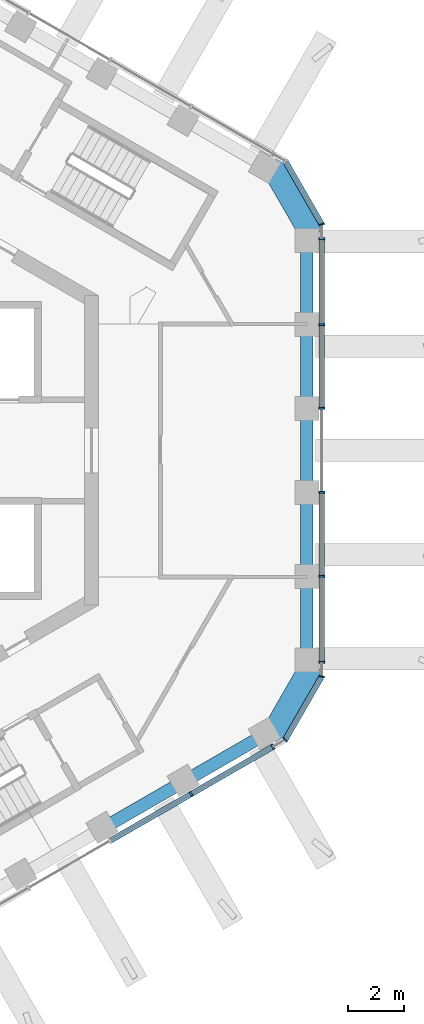
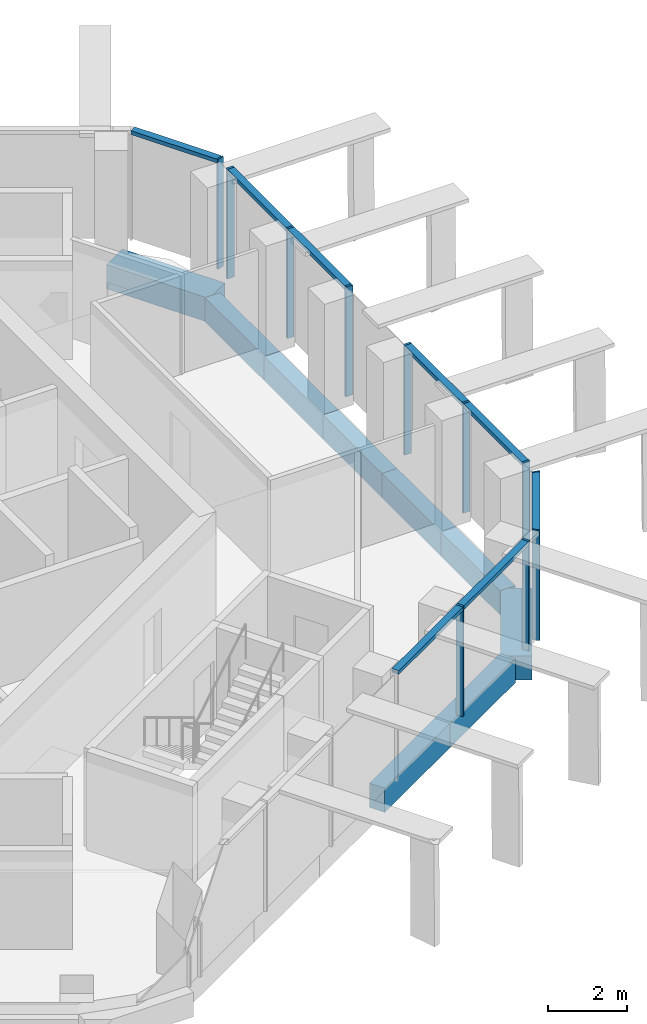
# One storey, part 4 of 17: 16 members, 9 beams, 4 elements without a shape of their own.
"""IFC4 building model written with IfcOpenShell, lengths in metres."""

from ifc_helpers import new_model, si_unit, direction, frame, origin, origin_2d, place, context, subcontext, project, spatial, rectangle, extrude, material, layer, layer_set, material_profile, profile_set, type_object, element, aggregate, save


model = new_model("IFC4")

# Units and contexts
model_context = context("Model", 3, precision=1e-05, world=origin(), true_north=direction((0.0, 1.0)))
body_context = subcontext(model_context, "Body", "Model", "MODEL_VIEW")
ifc_project = project(units=[si_unit("LENGTHUNIT", "METRE"), si_unit("AREAUNIT", "SQUARE_METRE"), si_unit("VOLUMEUNIT", "CUBIC_METRE"), si_unit("PLANEANGLEUNIT", "RADIAN"), si_unit("MASSUNIT", "GRAM", prefix="KILO")], contexts=[model_context])

# Site, building, storey
site_placement = place(None, origin())
site = spatial("IfcSite", under=ifc_project, at=site_placement, CompositionType="ELEMENT")
building_placement = place(site_placement, origin())
building = spatial("IfcBuilding", under=site, at=building_placement, Name="Ayvan Gate Tower", CompositionType="ELEMENT")
storey_placement = place(building_placement, frame((0.0, 0.0, 246.10009765625)))
storey = spatial("IfcBuildingStorey", under=building, at=storey_placement, Name="L66", CompositionType="ELEMENT", Elevation=246.10009765625)

# Beams
ifc_material_1 = material(Name="Concrete C40/50", Category="concrete")
ifc_material_profile_1 = material_profile(ifc_material_1, rectangle(XDim=0.800048828125, YDim=0.75, at=origin_2d()), Name="RC 800x750")
ifc_profile_set_1 = profile_set([ifc_material_profile_1], Name="Concrete C40/50")
beam_type_1 = type_object("IfcBeamType", Name="Corner spandrel beam RC 800x750 C40/50", PredefinedType="BEAM", material=ifc_profile_set_1)
for number, where, z_axis, x_axis, name in (
    (1, (17.078125, 7.59423828125, -0.72509765625), (-0.499990139034, 0.866031096941, 0.0), (-0.866031096941, -0.499990139034, 0.0), "SB-L66-6"),
    (2, (15.578125, -10.1923828125, -0.72509765625), (0.499990139034, 0.866031096941, 0.0), (-0.866031096941, 0.499990139034, 0.0), "SB-L66-36"),
):
    element("IfcBeam", number, at=place(storey_placement, frame(where, z_axis=z_axis, x_axis=x_axis)), inside=storey, type_object=beam_type_1, Name=name, PredefinedType="BEAM", context=body_context, shape_type="SweptSolid", body=[
        extrude(rectangle(XDim=0.800048828125, YDim=0.75, at=origin_2d()), origin(), (0.0, 0.0, 1.0), 3.0),
    ])
ifc_material_profile_2 = material_profile(ifc_material_1, rectangle(XDim=0.449951171875, YDim=0.75, at=origin_2d()), Name="RC 450x750")
ifc_profile_set_2 = profile_set([ifc_material_profile_2], Name="Concrete C40/50")
beam_type_2 = type_object("IfcBeamType", Name="Spandrel beam RC 450x750 C40/50", PredefinedType="BEAM", material=ifc_profile_set_2)
beam_1_placement = place(storey_placement, frame((16.887451171875, -7.484375, -0.72509765625), z_axis=(0.0, 1.0, 0.0), x_axis=(-1.0, 0.0, 0.0)))
element("IfcBeam", 3, at=beam_1_placement, inside=storey, type_object=beam_type_2, Name="SB-L66-1", PredefinedType="BEAM", context=body_context, shape_type="SweptSolid", body=[
    extrude(rectangle(XDim=0.449951171875, YDim=0.75, at=origin_2d()), origin(), (0.0, 0.0, 1.0), 2.99365234375),
])
beam_2_placement = place(storey_placement, frame((16.887451171875, -4.49072265625, -0.72509765625), z_axis=(0.0, 1.0, 0.0), x_axis=(-1.0, 0.0, 0.0)))
element("IfcBeam", 4, at=beam_2_placement, inside=storey, type_object=beam_type_2, Name="SB-L66-2", PredefinedType="BEAM", context=body_context, shape_type="SweptSolid", body=[
    extrude(rectangle(XDim=0.449951171875, YDim=0.75, at=origin_2d()), origin(), (0.0, 0.0, 1.0), 2.993896484375),
])
beam_3_placement = place(storey_placement, frame((16.887451171875, -1.496826171875, -0.72509765625), z_axis=(0.0, 1.0, 0.0), x_axis=(-1.0, 0.0, 0.0)))
element("IfcBeam", 5, at=beam_3_placement, inside=storey, type_object=beam_type_2, Name="SB-L66-3", PredefinedType="BEAM", context=body_context, shape_type="SweptSolid", body=[
    extrude(rectangle(XDim=0.449951171875, YDim=0.75, at=origin_2d()), origin(), (0.0, 0.0, 1.0), 2.99365234375),
])
beam_4_placement = place(storey_placement, frame((16.887451171875, 1.496826171875, -0.72509765625), z_axis=(0.0, 1.0, 0.0), x_axis=(-1.0, 0.0, 0.0)))
element("IfcBeam", 6, at=beam_4_placement, inside=storey, type_object=beam_type_2, Name="SB-L66-4", PredefinedType="BEAM", context=body_context, shape_type="SweptSolid", body=[
    extrude(rectangle(XDim=0.449951171875, YDim=0.75, at=origin_2d()), origin(), (0.0, 0.0, 1.0), 2.993896484375),
])
beam_5_placement = place(storey_placement, frame((16.887451171875, 4.49072265625, -0.72509765625), z_axis=(0.0, 1.0, 0.0), x_axis=(-1.0, 0.0, 0.0)))
element("IfcBeam", 7, at=beam_5_placement, inside=storey, type_object=beam_type_2, Name="SB-L66-5", PredefinedType="BEAM", context=body_context, shape_type="SweptSolid", body=[
    extrude(rectangle(XDim=0.449951171875, YDim=0.75, at=origin_2d()), origin(), (0.0, 0.0, 1.0), 2.99365234375),
])
beam_6_placement = place(storey_placement, frame((9.647705078125, -13.396240234375, -0.72509765625), z_axis=(0.866017505439, 0.500013680086, 0.0), x_axis=(-0.500013680086, 0.866017505439, 0.0)))
element("IfcBeam", 8, at=beam_6_placement, inside=storey, type_object=beam_type_2, Name="SB-L66-34", PredefinedType="BEAM", context=body_context, shape_type="SweptSolid", body=[
    extrude(rectangle(XDim=0.449951171875, YDim=0.75, at=origin_2d()), origin(), (0.0, 0.0, 1.0), 3.31396484375),
])
beam_7_placement = place(storey_placement, frame((12.517578125, -11.7392578125, -0.72509765625), z_axis=(0.866049406461, 0.49995842384, 0.0), x_axis=(-0.49995842384, 0.866049406461, 0.0)))
element("IfcBeam", 9, at=beam_7_placement, inside=storey, type_object=beam_type_2, Name="SB-L66-35", PredefinedType="BEAM", context=body_context, shape_type="SweptSolid", body=[
    extrude(rectangle(XDim=0.449951171875, YDim=0.75, at=origin_2d()), origin(), (0.0, 0.0, 1.0), 3.313720703125),
])

# Curtain wall, members
ifc_material_2 = material(Name="Bronze anodised aluminium", Category="aluminium")
ifc_layer_1 = layer(ifc_material_2, 0.199951171875)
ifc_layer_set_1 = layer_set([ifc_layer_1], Name="Bronze anodised aluminium")
curtain_wall_type_1 = type_object("IfcCurtainWallType", Name="Stick curtain wall CW-2", PredefinedType="NOTDEFINED", material=ifc_layer_set_1)
curtain_wall_1_placement = place(storey_placement, origin())
curtain_wall_1 = element("IfcCurtainWall", 10, at=curtain_wall_1_placement, inside=storey, type_object=curtain_wall_type_1, Name="Stick curtain wall CW-2 L66", PredefinedType="NOTDEFINED")
ifc_material_profile_3 = material_profile(ifc_material_2, rectangle(XDim=0.199951171875, YDim=0.070068359375, at=origin_2d()), Name="Stick curtain wall CW-2 mullion 200 x 70")
ifc_profile_set_3 = profile_set([ifc_material_profile_3], Name="Bronze anodised aluminium")
member_type_1 = type_object("IfcMemberType", Name="Stick curtain wall CW-2 mullion 200 x 70", PredefinedType="MULLION", material=ifc_profile_set_3)
member_1_placement = place(storey_placement, frame((12.78662109375, -12.175537109375, 0.0), z_axis=(0.0, 0.0, 1.0), x_axis=(0.5, -0.866025403784, 0.0)))
member_1 = element("IfcMember", 11, at=member_1_placement, type_object=member_type_1, Name="CW-2 mullion 5", PredefinedType="MULLION", context=body_context, shape_type="SweptSolid", body=[
    extrude(rectangle(XDim=0.199951171875, YDim=0.070068359375, at=origin_2d()), origin(), (0.0, 0.0, 1.0), 3.39990234375),
])
member_2_placement = place(storey_placement, frame((15.679443359375, -10.50537109375, 0.0), z_axis=(0.0, 0.0, 1.0), x_axis=(0.5, -0.866025403784, 0.0)))
member_2 = element("IfcMember", 12, at=member_2_placement, type_object=member_type_1, Name="CW-2 mullion 6", PredefinedType="MULLION", context=body_context, shape_type="SweptSolid", body=[
    extrude(rectangle(XDim=0.199951171875, YDim=0.070068359375, at=origin_2d()), origin(), (0.0, 0.0, 1.0), 3.39990234375),
])

curtain_wall_2_placement = place(storey_placement, origin())
curtain_wall_2 = element("IfcCurtainWall", 13, at=curtain_wall_2_placement, inside=storey, type_object=curtain_wall_type_1, Name="Stick curtain wall CW-2 L66", PredefinedType="NOTDEFINED")
member_3_placement = place(storey_placement, frame((17.41259765625, -7.50390625, 0.0), z_axis=(0.0, 0.0, 1.0), x_axis=(1.0, 0.0, 0.0)))
member_3 = element("IfcMember", 14, at=member_3_placement, type_object=member_type_1, Name="CW-2 mullion 1", PredefinedType="MULLION", context=body_context, shape_type="SweptSolid", body=[
    extrude(rectangle(XDim=0.199951171875, YDim=0.070068359375, at=origin_2d()), origin(), (0.0, 0.0, 1.0), 3.39990234375),
])
member_4_placement = place(storey_placement, frame((17.41259765625, -4.4609375, 0.0), z_axis=(0.0, 0.0, 1.0), x_axis=(1.0, 0.0, 0.0)))
member_4 = element("IfcMember", 15, at=member_4_placement, type_object=member_type_1, Name="CW-2 mullion 2", PredefinedType="MULLION", context=body_context, shape_type="SweptSolid", body=[
    extrude(rectangle(XDim=0.199951171875, YDim=0.070068359375, at=origin_2d()), origin(), (0.0, 0.0, 1.0), 3.39990234375),
])
member_5_placement = place(storey_placement, frame((17.41259765625, -1.48681640625, 0.0), z_axis=(0.0, 0.0, 1.0), x_axis=(1.0, 0.0, 0.0)))
member_5 = element("IfcMember", 16, at=member_5_placement, type_object=member_type_1, Name="CW-2 mullion 3", PredefinedType="MULLION", context=body_context, shape_type="SweptSolid", body=[
    extrude(rectangle(XDim=0.199951171875, YDim=0.070068359375, at=origin_2d()), origin(), (0.0, 0.0, 1.0), 3.39990234375),
])
member_6_placement = place(storey_placement, frame((17.41259765625, 1.487060546875, 0.0), z_axis=(0.0, 0.0, 1.0), x_axis=(1.0, 0.0, 0.0)))
member_6 = element("IfcMember", 17, at=member_6_placement, type_object=member_type_1, Name="CW-2 mullion 4", PredefinedType="MULLION", context=body_context, shape_type="SweptSolid", body=[
    extrude(rectangle(XDim=0.199951171875, YDim=0.070068359375, at=origin_2d()), origin(), (0.0, 0.0, 1.0), 3.39990234375),
])
member_7_placement = place(storey_placement, frame((17.41259765625, 4.461181640625, 0.0), z_axis=(0.0, 0.0, 1.0), x_axis=(1.0, 0.0, 0.0)))
member_7 = element("IfcMember", 18, at=member_7_placement, type_object=member_type_1, Name="CW-2 mullion 5", PredefinedType="MULLION", context=body_context, shape_type="SweptSolid", body=[
    extrude(rectangle(XDim=0.199951171875, YDim=0.070068359375, at=origin_2d()), origin(), (0.0, 0.0, 1.0), 3.39990234375),
])
member_8_placement = place(storey_placement, frame((17.41259765625, 7.50390625, 0.0), z_axis=(0.0, 0.0, 1.0), x_axis=(1.0, 0.0, 0.0)))
member_8 = element("IfcMember", 19, at=member_8_placement, type_object=member_type_1, Name="CW-2 mullion 6", PredefinedType="MULLION", context=body_context, shape_type="SweptSolid", body=[
    extrude(rectangle(XDim=0.199951171875, YDim=0.070068359375, at=origin_2d()), origin(), (0.0, 0.0, 1.0), 3.39990234375),
])

# Member
ifc_material_profile_4 = material_profile(ifc_material_2, rectangle(XDim=0.199951171875, YDim=0.1201171875, at=origin_2d()), Name="Stick curtain wall CW-2 transom 200 x 120")
ifc_profile_set_4 = profile_set([ifc_material_profile_4], Name="Bronze anodised aluminium")
member_type_2 = type_object("IfcMemberType", Name="Stick curtain wall CW-2 transom 200 x 120", PredefinedType="USERDEFINED", material=ifc_profile_set_4)
member_9_placement = place(storey_placement, frame((9.938232421875, -13.820068359375, 3.33984375), z_axis=(0.866024908328, 0.500000858155, 0.0), x_axis=(-0.500000858155, 0.866024908328, 0.0)))
member_9 = element("IfcMember", 20, at=member_9_placement, type_object=member_type_2, Name="CW-2 transom 2", ObjectType="TRANSOM", PredefinedType="USERDEFINED", context=body_context, shape_type="SweptSolid", body=[
    extrude(rectangle(XDim=0.199951171875, YDim=0.1201171875, at=origin_2d()), origin(), (0.0, 0.0, 1.0), 6.62939453125),
])

aggregate(curtain_wall_1, [member_1, member_2, member_9])

member_10_placement = place(storey_placement, frame((17.41259765625, -7.50390625, 3.33984375), z_axis=(0.0, 1.0, 0.0), x_axis=(-1.0, 0.0, 0.0)))
member_10 = element("IfcMember", 21, at=member_10_placement, type_object=member_type_2, Name="CW-2 transom 1", ObjectType="TRANSOM", PredefinedType="USERDEFINED", context=body_context, shape_type="SweptSolid", body=[
    extrude(rectangle(XDim=0.199951171875, YDim=0.1201171875, at=origin_2d()), origin(), (0.0, 0.0, 1.0), 5.982177734375),
])

member_11_placement = place(storey_placement, frame((17.41259765625, 1.522216796875, 3.33984375), z_axis=(0.0, 1.0, 0.0), x_axis=(-1.0, 0.0, 0.0)))
member_11 = element("IfcMember", 22, at=member_11_placement, type_object=member_type_2, Name="CW-2 transom 2", ObjectType="TRANSOM", PredefinedType="USERDEFINED", context=body_context, shape_type="SweptSolid", body=[
    extrude(rectangle(XDim=0.199951171875, YDim=0.1201171875, at=origin_2d()), origin(), (0.0, 0.0, 1.0), 5.981689453125),
])

aggregate(curtain_wall_2, [member_3, member_4, member_5, member_6, member_7, member_8, member_10, member_11])

# Curtain wall, members
ifc_layer_2 = layer(ifc_material_2, 0.199951171875)
ifc_layer_set_2 = layer_set([ifc_layer_2], Name="Bronze anodised aluminium")
curtain_wall_type_2 = type_object("IfcCurtainWallType", Name="Stick curtain wall CW-6", PredefinedType="NOTDEFINED", material=ifc_layer_set_2)
curtain_wall_3_placement = place(storey_placement, origin())
curtain_wall_3 = element("IfcCurtainWall", 23, at=curtain_wall_3_placement, inside=storey, type_object=curtain_wall_type_2, Name="Stick curtain wall CW-6 L66", PredefinedType="NOTDEFINED")
ifc_material_profile_5 = material_profile(ifc_material_2, rectangle(XDim=0.199951171875, YDim=0.050048828125, at=origin_2d()), Name="Stick curtain wall CW-6 mullion 200 x 50")
ifc_profile_set_5 = profile_set([ifc_material_profile_5], Name="Bronze anodised aluminium")
member_type_3 = type_object("IfcMemberType", Name="Stick curtain wall CW-6 mullion 200 x 50", PredefinedType="MULLION", material=ifc_profile_set_5)
member_12_placement = place(storey_placement, frame((16.12109375, -10.25048828125, 0.0), z_axis=(0.0, 0.0, 1.0), x_axis=(0.707106781187, -0.707106781187, 0.0)))
member_12 = element("IfcMember", 24, at=member_12_placement, type_object=member_type_3, Name="CW-6 mullion 2", PredefinedType="MULLION", context=body_context, shape_type="SweptSolid", body=[
    extrude(rectangle(XDim=0.199951171875, YDim=0.050048828125, at=origin_2d()), origin(), (0.0, 0.0, 1.0), 3.39990234375),
])
member_13_placement = place(storey_placement, frame((17.41259765625, -8.013916015625, 0.0), z_axis=(0.0, 0.0, 1.0), x_axis=(0.965925826289, -0.258819045103, 0.0)))
member_13 = element("IfcMember", 25, at=member_13_placement, type_object=member_type_3, Name="CW-6 mullion 3", PredefinedType="MULLION", context=body_context, shape_type="SweptSolid", body=[
    extrude(rectangle(XDim=0.199951171875, YDim=0.050048828125, at=origin_2d()), origin(), (0.0, 0.0, 1.0), 3.39990234375),
])

# Curtain wall, member
curtain_wall_4_placement = place(storey_placement, origin())
curtain_wall_4 = element("IfcCurtainWall", 26, at=curtain_wall_4_placement, inside=storey, type_object=curtain_wall_type_2, Name="Stick curtain wall CW-6 L66", PredefinedType="NOTDEFINED")
member_14_placement = place(storey_placement, frame((17.41259765625, 8.013916015625, 0.0), z_axis=(0.0, 0.0, 1.0), x_axis=(0.965925826289, 0.258819045103, 0.0)))
member_14 = element("IfcMember", 27, at=member_14_placement, type_object=member_type_3, Name="CW-6 mullion 2", PredefinedType="MULLION", context=body_context, shape_type="SweptSolid", body=[
    extrude(rectangle(XDim=0.199951171875, YDim=0.050048828125, at=origin_2d()), origin(), (0.0, 0.0, 1.0), 3.39990234375),
])

# Member
ifc_material_profile_6 = material_profile(ifc_material_2, rectangle(XDim=0.199951171875, YDim=0.1201171875, at=origin_2d()), Name="Stick curtain wall CW-6 transom 200 x 120")
ifc_profile_set_6 = profile_set([ifc_material_profile_6], Name="Bronze anodised aluminium")
member_type_4 = type_object("IfcMemberType", Name="Stick curtain wall CW-6 transom 200 x 120", PredefinedType="USERDEFINED", material=ifc_profile_set_6)
member_15_placement = place(storey_placement, frame((16.1337890625, -10.228759765625, 3.33984375), z_axis=(0.499933856714, 0.866063588261, 0.0), x_axis=(-0.866063588261, 0.499933856714, 0.0)))
member_15 = element("IfcMember", 28, at=member_15_placement, type_object=member_type_4, Name="CW-6 transom 2", ObjectType="TRANSOM", PredefinedType="USERDEFINED", context=body_context, shape_type="SweptSolid", body=[
    extrude(rectangle(XDim=0.199951171875, YDim=0.1201171875, at=origin_2d()), origin(), (0.0, 0.0, 1.0), 2.532470703125),
])

aggregate(curtain_wall_3, [member_12, member_13, member_15])

member_16_placement = place(storey_placement, frame((17.39990234375, 8.035400390625, 3.33984375), z_axis=(-0.499933856714, 0.866063588261, 0.0), x_axis=(-0.866063588261, -0.499933856714, 0.0)))
member_16 = element("IfcMember", 29, at=member_16_placement, type_object=member_type_4, Name="CW-6 transom 1", ObjectType="TRANSOM", PredefinedType="USERDEFINED", context=body_context, shape_type="SweptSolid", body=[
    extrude(rectangle(XDim=0.199951171875, YDim=0.1201171875, at=origin_2d()), origin(), (0.0, 0.0, 1.0), 2.532470703125),
])

aggregate(curtain_wall_4, [member_14, member_16])

save(model, "model.ifc")
